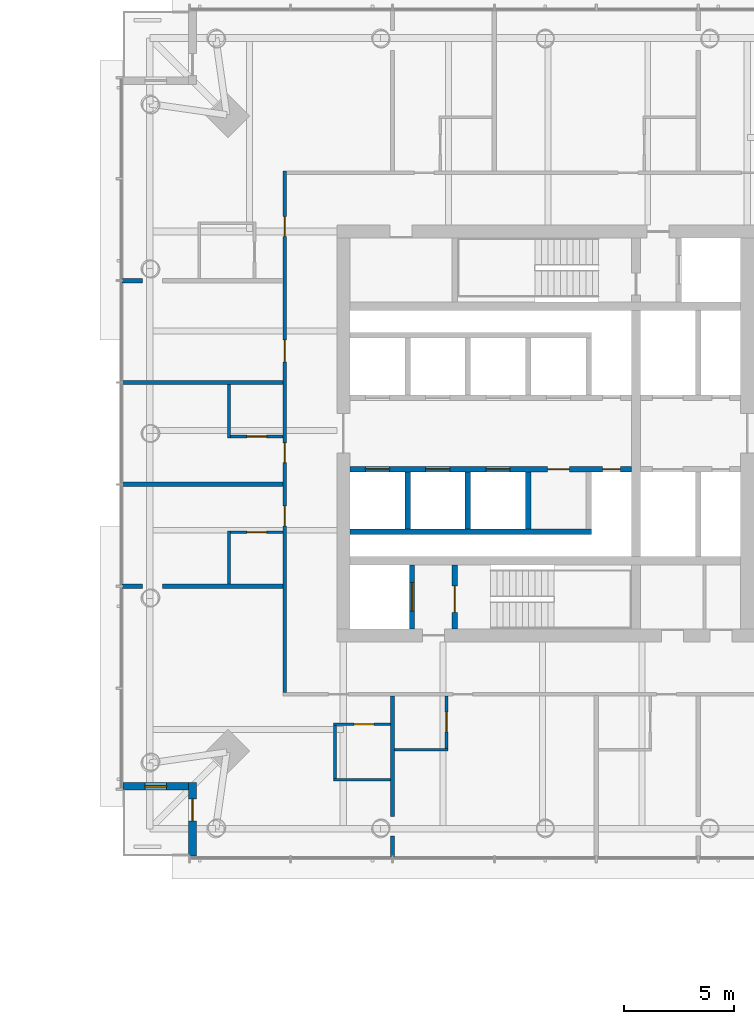
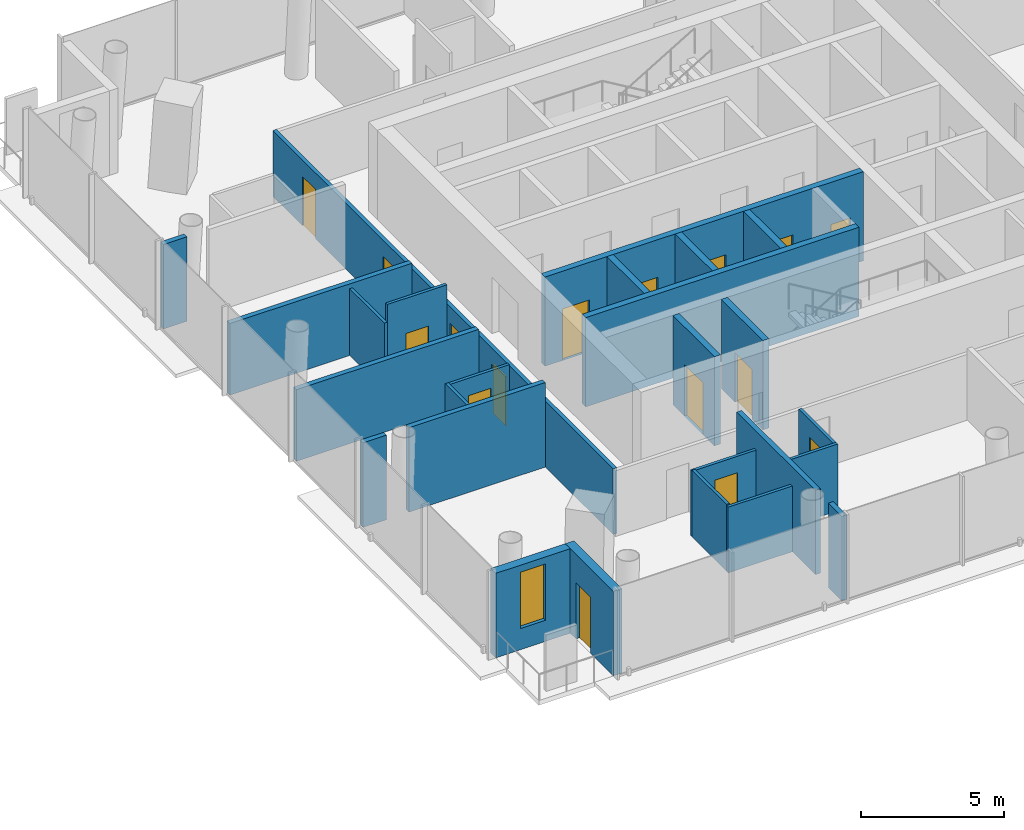
# One storey, part 12 of 21: 26 walls, 16 doors, 1 window, 17 openings.
"""IFC4 building model written with IfcOpenShell, lengths in metres."""

from ifc_helpers import new_model, si_unit, direction, frame, frame_2d, origin, place, context, subcontext, project, spatial, rectangle, extrude, material, layer, layer_set, type_object, element, fill, save


model = new_model("IFC4")

# Units and contexts
model_context = context("Model", 3, precision=1e-05, world=origin(), true_north=direction((0.0, 1.0)))
body_context = subcontext(model_context, "Body", "Model", "MODEL_VIEW")
ifc_project = project(units=[si_unit("LENGTHUNIT", "METRE"), si_unit("AREAUNIT", "SQUARE_METRE"), si_unit("VOLUMEUNIT", "CUBIC_METRE"), si_unit("PLANEANGLEUNIT", "RADIAN"), si_unit("MASSUNIT", "GRAM", prefix="KILO")], contexts=[model_context])

# Site, building, storey
site_placement = place(None, origin())
site = spatial("IfcSite", under=ifc_project, at=site_placement, CompositionType="ELEMENT")
building_placement = place(site_placement, origin())
building = spatial("IfcBuilding", under=site, at=building_placement, Name="Ostroluk Exchange", CompositionType="ELEMENT")
storey_placement = place(building_placement, frame((0.0, 0.0, 43.800048828125)))
storey = spatial("IfcBuildingStorey", under=building, at=storey_placement, Name="L10", CompositionType="ELEMENT", Elevation=43.800048828125)

# Wall, opening, door
ifc_material_1 = material(Name="Concrete C40/50", Category="concrete")
ifc_layer_1 = layer(ifc_material_1, 0.25)
ifc_layer_set_1 = layer_set([ifc_layer_1], Name="Core shaft wall 250")
wall_type_1 = type_object("IfcWallType", Name="Core shaft wall 250", PredefinedType="SHEAR", material=ifc_layer_set_1)
wall_1_placement = place(storey_placement, frame((110.925048828125, 37.10009765625, 0.0), z_axis=(0.0, 0.0, 1.0), x_axis=(0.0, 1.0, 0.0)))
wall_1 = element("IfcWall", 1, at=wall_1_placement, inside=storey, type_object=wall_type_1, Name="Firefighting lift shaft wall", PredefinedType="SHEAR", context=body_context, shape_type="SweptSolid", body=[
    extrude(rectangle(XDim=2.89990234375, YDim=0.25, at=frame_2d((1.449951171875, 0.0))), origin(), (0.0, 0.0, 1.0), 3.800048828125),
])
opening_1_placement = place(wall_1_placement, frame((0.800048828125, 0.0, 0.0)))
opening_1 = element("IfcOpeningElement", 2, at=opening_1_placement, cuts=wall_1, Name="Opening LD2", PredefinedType="OPENING", context=body_context, shape_type="SweptSolid", body=[
    extrude(rectangle(XDim=1.300048828125, YDim=2.199951171875, at=frame_2d((0.64990234375, 1.10009765625))), frame((0.0, 0.135009765625, 0.0), z_axis=(0.0, -1.0, 0.0), x_axis=(1.0, 0.0, 0.0)), (0.0, 0.0, 1.0), 0.27001953125),
])
ifc_material_2 = material(Name="Stainless steel", Category="steel")
door_type_1 = type_object("IfcDoorType", Name="Lift landing door E 60 1300 x 2200", OperationType="DOUBLE_DOOR_SLIDING", PredefinedType="DOOR", material=ifc_material_2)
door_1_placement = place(opening_1_placement, origin())
door_1 = element("IfcDoor", 3, at=door_1_placement, inside=storey, type_object=door_type_1, Name="Lift HF1 landing door", OperationType="DOUBLE_DOOR_SLIDING", OverallHeight=2.199951171875, OverallWidth=1.300048828125, PredefinedType="DOOR", context=body_context, shape_type="SweptSolid", body=[
    extrude(rectangle(XDim=1.300048828125, YDim=2.199951171875, at=frame_2d((0.64990234375, 1.10009765625))), frame((0.0, 0.02490234375, 0.0), z_axis=(0.0, -1.0, 0.0), x_axis=(1.0, 0.0, 0.0)), (0.0, 0.0, 1.0), 0.050048828125),
])
fill(opening_1, door_1)

wall_2_placement = place(storey_placement, frame((112.875, 37.10009765625, 0.0), z_axis=(0.0, 0.0, 1.0), x_axis=(0.0, 1.0, 0.0)))
wall_2 = element("IfcWall", 4, at=wall_2_placement, inside=storey, type_object=wall_type_1, Name="Stair shaft wall", PredefinedType="SHEAR", context=body_context, shape_type="SweptSolid", body=[
    extrude(rectangle(XDim=2.89990234375, YDim=0.25, at=frame_2d((1.449951171875, 0.0))), origin(), (0.0, 0.0, 1.0), 3.800048828125),
])
opening_2_placement = place(wall_2_placement, frame((0.75, 0.0, 0.0)))
opening_2 = element("IfcOpeningElement", 5, at=opening_2_placement, cuts=wall_2, Name="Opening FD60S", PredefinedType="OPENING", context=body_context, shape_type="SweptSolid", body=[
    extrude(rectangle(XDim=1.199951171875, YDim=2.10009765625, at=frame_2d((0.60009765625, 1.050048828125))), frame((0.0, 0.135009765625, 0.0), z_axis=(0.0, -1.0, 0.0), x_axis=(1.0, 0.0, 0.0)), (0.0, 0.0, 1.0), 0.27001953125),
])
ifc_material_3 = material(Name="Steel", Category="steel")
door_type_2 = type_object("IfcDoorType", Name="Stair door EI 60 1200 x 2100", OperationType="SINGLE_SWING_LEFT", PredefinedType="DOOR", material=ifc_material_3)
door_2_placement = place(opening_2_placement, origin())
door_2 = element("IfcDoor", 6, at=door_2_placement, inside=storey, type_object=door_type_2, Name="Stair T2-S1 door", OperationType="SINGLE_SWING_LEFT", OverallHeight=2.10009765625, OverallWidth=1.199951171875, PredefinedType="DOOR", context=body_context, shape_type="SweptSolid", body=[
    extrude(rectangle(XDim=1.199951171875, YDim=2.10009765625, at=frame_2d((0.60009765625, 1.050048828125))), frame((0.0, 0.02490234375, 0.0), z_axis=(0.0, -1.0, 0.0), x_axis=(1.0, 0.0, 0.0)), (0.0, 0.0, 1.0), 0.050048828125),
])
fill(opening_2, door_2)

# Walls
for number, where, z_axis, x_axis, name in (
    (7, (110.72509765625, 44.25, 0.0), (0.0, 0.0, 1.0), (0.0, -1.0, 0.0), "Lift shaft wall"),
    (8, (113.47509765625, 44.25, 0.0), (0.0, 0.0, 1.0), (0.0, -1.0, 0.0), "Lift shaft wall"),
    (9, (116.22509765625, 44.25, 0.0), (0.0, 0.0, 1.0), (0.0, -1.0, 0.0), "Lift shaft wall"),
):
    element("IfcWall", number, at=place(storey_placement, frame(where, z_axis=z_axis, x_axis=x_axis)), inside=storey, type_object=wall_type_1, Name=name, PredefinedType="SHEAR", context=body_context, shape_type="SweptSolid", body=[
        extrude(rectangle(XDim=2.60009765625, YDim=0.25, at=frame_2d((1.300048828125, 0.0))), origin(), (0.0, 0.0, 1.0), 3.800048828125),
    ])
wall_3_placement = place(storey_placement, frame((108.10009765625, 41.52490234375, 0.0), z_axis=(0.0, 0.0, 1.0), x_axis=(1.0, 0.0, 0.0)))
element("IfcWall", 10, at=wall_3_placement, inside=storey, type_object=wall_type_1, Name="Lift shaft wall", PredefinedType="SHEAR", context=body_context, shape_type="SweptSolid", body=[
    extrude(rectangle(XDim=11.0, YDim=0.25, at=frame_2d((5.5, 0.0))), origin(), (0.0, 0.0, 1.0), 3.800048828125),
])

# Wall, openings, doors
wall_4_placement = place(storey_placement, frame((108.10009765625, 44.375, 0.0), z_axis=(0.0, 0.0, 1.0), x_axis=(1.0, 0.0, 0.0)))
wall_4 = element("IfcWall", 11, at=wall_4_placement, inside=storey, type_object=wall_type_1, Name="Lift shaft front wall", PredefinedType="SHEAR", context=body_context, shape_type="SweptSolid", body=[
    extrude(rectangle(XDim=12.829833984375, YDim=0.25, at=frame_2d((6.4150390625, 0.0))), origin(), (0.0, 0.0, 1.0), 3.800048828125),
])
opening_3_placement = place(wall_4_placement, frame((0.699951171875, 0.0, 0.0)))
opening_3 = element("IfcOpeningElement", 12, at=opening_3_placement, cuts=wall_4, Name="Opening LD", PredefinedType="OPENING", context=body_context, shape_type="SweptSolid", body=[
    extrude(rectangle(XDim=1.10009765625, YDim=2.199951171875, at=frame_2d((0.550048828125, 1.10009765625))), frame((0.0, 0.135009765625, 0.0), z_axis=(0.0, -1.0, 0.0), x_axis=(1.0, 0.0, 0.0)), (0.0, 0.0, 1.0), 0.27001953125),
])
opening_4_placement = place(wall_4_placement, frame((3.449951171875, 0.0, 0.0)))
opening_4 = element("IfcOpeningElement", 13, at=opening_4_placement, cuts=wall_4, Name="Opening LD", PredefinedType="OPENING", context=body_context, shape_type="SweptSolid", body=[
    extrude(rectangle(XDim=1.10009765625, YDim=2.199951171875, at=frame_2d((0.550048828125, 1.10009765625))), frame((0.0, 0.135009765625, 0.0), z_axis=(0.0, -1.0, 0.0), x_axis=(1.0, 0.0, 0.0)), (0.0, 0.0, 1.0), 0.27001953125),
])
opening_5_placement = place(wall_4_placement, frame((6.199951171875, 0.0, 0.0)))
opening_5 = element("IfcOpeningElement", 14, at=opening_5_placement, cuts=wall_4, Name="Opening LD", PredefinedType="OPENING", context=body_context, shape_type="SweptSolid", body=[
    extrude(rectangle(XDim=1.10009765625, YDim=2.199951171875, at=frame_2d((0.550048828125, 1.10009765625))), frame((0.0, 0.135009765625, 0.0), z_axis=(0.0, -1.0, 0.0), x_axis=(1.0, 0.0, 0.0)), (0.0, 0.0, 1.0), 0.27001953125),
])
opening_6_placement = place(wall_4_placement, frame((9.0, 0.0, 0.0)))
opening_6 = element("IfcOpeningElement", 15, at=opening_6_placement, cuts=wall_4, Name="Opening FD60", PredefinedType="OPENING", context=body_context, shape_type="SweptSolid", body=[
    extrude(rectangle(XDim=1.0, YDim=2.10009765625, at=frame_2d((0.5, 1.050048828125))), frame((0.0, 0.135009765625, 0.0), z_axis=(0.0, -1.0, 0.0), x_axis=(1.0, 0.0, 0.0)), (0.0, 0.0, 1.0), 0.27001953125),
])
opening_7_placement = place(wall_4_placement, frame((11.514892578125, 0.0, 0.0)))
opening_7 = element("IfcOpeningElement", 16, at=opening_7_placement, cuts=wall_4, Name="Opening RD60", PredefinedType="OPENING", context=body_context, shape_type="SweptSolid", body=[
    extrude(rectangle(XDim=0.800048828125, YDim=2.0, at=frame_2d((0.39990234375, 1.0))), frame((0.0, 0.135009765625, 0.0), z_axis=(0.0, -1.0, 0.0), x_axis=(1.0, 0.0, 0.0)), (0.0, 0.0, 1.0), 0.27001953125),
])
ifc_material_4 = material(Name="Steel", Category="steel")
door_type_3 = type_object("IfcDoorType", Name="Fire door EI 60 1000 x 2100", OperationType="SINGLE_SWING_LEFT", PredefinedType="DOOR", material=ifc_material_4)
door_3_placement = place(opening_6_placement, origin())
door_3 = element("IfcDoor", 17, at=door_3_placement, inside=storey, type_object=door_type_3, Name="Core room door", OperationType="SINGLE_SWING_RIGHT", OverallHeight=2.10009765625, OverallWidth=1.0, PredefinedType="DOOR", context=body_context, shape_type="SweptSolid", body=[
    extrude(rectangle(XDim=1.0, YDim=2.10009765625, at=frame_2d((0.5, 1.050048828125))), frame((0.0, 0.02490234375, 0.0), z_axis=(0.0, -1.0, 0.0), x_axis=(1.0, 0.0, 0.0)), (0.0, 0.0, 1.0), 0.050048828125),
])
fill(opening_6, door_3)
ifc_material_5 = material(Name="Stainless steel", Category="steel")
door_type_4 = type_object("IfcDoorType", Name="Lift landing door E 60 1100 x 2200", OperationType="DOUBLE_DOOR_SLIDING", PredefinedType="DOOR", material=ifc_material_5)
door_4_placement = place(opening_3_placement, origin())
door_4 = element("IfcDoor", 18, at=door_4_placement, inside=storey, type_object=door_type_4, Name="Lift HL5 landing door", OperationType="DOUBLE_DOOR_SLIDING", OverallHeight=2.199951171875, OverallWidth=1.10009765625, PredefinedType="DOOR", context=body_context, shape_type="SweptSolid", body=[
    extrude(rectangle(XDim=1.10009765625, YDim=2.199951171875, at=frame_2d((0.550048828125, 1.10009765625))), frame((0.0, 0.02490234375, 0.0), z_axis=(0.0, -1.0, 0.0), x_axis=(1.0, 0.0, 0.0)), (0.0, 0.0, 1.0), 0.050048828125),
])
fill(opening_3, door_4)
door_5_placement = place(opening_4_placement, origin())
door_5 = element("IfcDoor", 19, at=door_5_placement, inside=storey, type_object=door_type_4, Name="Lift HL6 landing door", OperationType="DOUBLE_DOOR_SLIDING", OverallHeight=2.199951171875, OverallWidth=1.10009765625, PredefinedType="DOOR", context=body_context, shape_type="SweptSolid", body=[
    extrude(rectangle(XDim=1.10009765625, YDim=2.199951171875, at=frame_2d((0.550048828125, 1.10009765625))), frame((0.0, 0.02490234375, 0.0), z_axis=(0.0, -1.0, 0.0), x_axis=(1.0, 0.0, 0.0)), (0.0, 0.0, 1.0), 0.050048828125),
])
fill(opening_4, door_5)
door_6_placement = place(opening_5_placement, origin())
door_6 = element("IfcDoor", 20, at=door_6_placement, inside=storey, type_object=door_type_4, Name="Lift HL7 landing door", OperationType="DOUBLE_DOOR_SLIDING", OverallHeight=2.199951171875, OverallWidth=1.10009765625, PredefinedType="DOOR", context=body_context, shape_type="SweptSolid", body=[
    extrude(rectangle(XDim=1.10009765625, YDim=2.199951171875, at=frame_2d((0.550048828125, 1.10009765625))), frame((0.0, 0.02490234375, 0.0), z_axis=(0.0, -1.0, 0.0), x_axis=(1.0, 0.0, 0.0)), (0.0, 0.0, 1.0), 0.050048828125),
])
fill(opening_5, door_6)
ifc_material_6 = material(Name="Steel", Category="steel")
door_type_5 = type_object("IfcDoorType", Name="Riser access door EI 60 800 x 2000", OperationType="SINGLE_SWING_LEFT", PredefinedType="DOOR", material=ifc_material_6)
door_7_placement = place(opening_7_placement, origin())
door_7 = element("IfcDoor", 21, at=door_7_placement, inside=storey, type_object=door_type_5, Name="Riser access door", OperationType="SINGLE_SWING_RIGHT", OverallHeight=2.0, OverallWidth=0.800048828125, PredefinedType="DOOR", context=body_context, shape_type="SweptSolid", body=[
    extrude(rectangle(XDim=0.800048828125, YDim=2.0, at=frame_2d((0.39990234375, 1.0))), frame((0.0, 0.02490234375, 0.0), z_axis=(0.0, -1.0, 0.0), x_axis=(1.0, 0.0, 0.0)), (0.0, 0.0, 1.0), 0.050048828125),
])
fill(opening_7, door_7)

# Wall, opening, door
ifc_material_7 = material(Name="Limestone", Category="masonry")
ifc_layer_2 = layer(ifc_material_7, 0.35009765625)
ifc_layer_set_2 = layer_set([ifc_layer_2], Name="Limestone facade wall 350")
wall_type_2 = type_object("IfcWallType", Name="Limestone facade wall 350", PredefinedType="SOLIDWALL", material=ifc_layer_set_2)
wall_5_placement = place(storey_placement, frame((100.925048828125, 26.75, 0.0), z_axis=(0.0, 0.0, 1.0), x_axis=(0.0, 1.0, 0.0)))
wall_5 = element("IfcWall", 22, at=wall_5_placement, inside=storey, type_object=wall_type_2, Name="Hotel tower SW corner wall L10 a", PredefinedType="SOLIDWALL", context=body_context, shape_type="SweptSolid", body=[
    extrude(rectangle(XDim=3.35009765625, YDim=0.35009765625, at=frame_2d((1.675048828125, 0.0))), origin(), (0.0, 0.0, 1.0), 3.599853515625),
])
opening_8_placement = place(wall_5_placement, frame((1.60009765625, 0.0, 0.0)))
opening_8 = element("IfcOpeningElement", 23, at=opening_8_placement, cuts=wall_5, Name="Opening D-B1", PredefinedType="OPENING", context=body_context, shape_type="SweptSolid", body=[
    extrude(rectangle(XDim=1.0, YDim=2.39990234375, at=frame_2d((0.5, 1.199951171875))), frame((0.0, 0.18505859375, 0.0), z_axis=(0.0, -1.0, 0.0), x_axis=(1.0, 0.0, 0.0)), (0.0, 0.0, 1.0), 0.3701171875),
])
ifc_material_8 = material(Name="Bronze framed glazed door", Category="aluminium")
door_type_6 = type_object("IfcDoorType", Name="Balcony door 1000 x 2400", OperationType="SINGLE_SWING_LEFT", PredefinedType="DOOR", material=ifc_material_8)
door_8_placement = place(opening_8_placement, origin())
door_8 = element("IfcDoor", 24, at=door_8_placement, inside=storey, type_object=door_type_6, Name="Hotel tower SW balcony door L10", OperationType="SINGLE_SWING_RIGHT", OverallHeight=2.39990234375, OverallWidth=1.0, PredefinedType="DOOR", context=body_context, shape_type="SweptSolid", body=[
    extrude(rectangle(XDim=1.0, YDim=2.39990234375, at=frame_2d((0.5, 1.199951171875))), frame((0.0, 0.02490234375, 0.0), z_axis=(0.0, -1.0, 0.0), x_axis=(1.0, 0.0, 0.0)), (0.0, 0.0, 1.0), 0.050048828125),
])
fill(opening_8, door_8)

# Wall, opening, window
wall_6_placement = place(storey_placement, frame((100.75, 29.925048828125, 0.0), z_axis=(0.0, 0.0, 1.0), x_axis=(-1.0, 0.0, 0.0)))
wall_6 = element("IfcWall", 25, at=wall_6_placement, inside=storey, type_object=wall_type_2, Name="Hotel tower SW corner wall L10 b", PredefinedType="SOLIDWALL", context=body_context, shape_type="SweptSolid", body=[
    extrude(rectangle(XDim=3.0, YDim=0.35009765625, at=frame_2d((1.5, 0.0))), origin(), (0.0, 0.0, 1.0), 3.599853515625),
])
opening_9_placement = place(wall_6_placement, frame((1.0, 0.0, 0.89990234375)))
opening_9 = element("IfcOpeningElement", 26, at=opening_9_placement, cuts=wall_6, Name="Opening WN-L3", PredefinedType="OPENING", context=body_context, shape_type="SweptSolid", body=[
    extrude(rectangle(XDim=1.0, YDim=2.39990234375, at=frame_2d((0.5, 1.199951171875))), frame((0.0, 0.18505859375, 0.0), z_axis=(0.0, -1.0, 0.0), x_axis=(1.0, 0.0, 0.0)), (0.0, 0.0, 1.0), 0.3701171875),
])
ifc_material_9 = material(Name="Laminated clear glass", Category="glass")
window_type = type_object("IfcWindowType", Name="Hotel lancet window 1000 x 2400", PartitioningType="SINGLE_PANEL", PredefinedType="WINDOW", material=ifc_material_9)
window_placement = place(opening_9_placement, origin())
window = element("IfcWindow", 27, at=window_placement, inside=storey, type_object=window_type, Name="Hotel tower SW lancet window L10", OverallHeight=2.39990234375, OverallWidth=1.0, PartitioningType="SINGLE_PANEL", PredefinedType="WINDOW", context=body_context, shape_type="SweptSolid", body=[
    extrude(rectangle(XDim=1.0, YDim=2.39990234375, at=frame_2d((0.5, 1.199951171875))), frame((0.0, 0.030029296875, 0.0), z_axis=(0.0, -1.0, 0.0), x_axis=(1.0, 0.0, 0.0)), (0.0, 0.0, 1.0), 0.06005859375),
])
fill(opening_9, window)

# Wall
ifc_material_10 = material(Name="Gypsum plasterboard partition, moisture resistant", Category="gypsum")
ifc_layer_3 = layer(ifc_material_10, 0.1201171875)
ifc_layer_set_3 = layer_set([ifc_layer_3], Name="Plasterboard en-suite wall 120")
wall_type_3 = type_object("IfcWallType", Name="Plasterboard en-suite wall 120", PredefinedType="PARTITIONING", material=ifc_layer_set_3)
wall_7_placement = place(storey_placement, frame((102.590087890625, 48.221435546875, 0.0), z_axis=(0.0, 0.0, 1.0), x_axis=(0.0, -1.0, 0.0)))
element("IfcWall", 28, at=wall_7_placement, inside=storey, type_object=wall_type_3, Name="En-suite wall", PredefinedType="PARTITIONING", context=body_context, shape_type="SweptSolid", body=[
    extrude(rectangle(XDim=2.419921875, YDim=0.1201171875, at=frame_2d((1.2099609375, 0.0))), origin(), (0.0, 0.0, 1.0), 2.846923828125),
])

# Wall, opening, door
wall_8_placement = place(storey_placement, frame((105.050048828125, 45.861328125, 0.0), z_axis=(0.0, 0.0, 1.0), x_axis=(-1.0, 0.0, 0.0)))
wall_8 = element("IfcWall", 29, at=wall_8_placement, inside=storey, type_object=wall_type_3, Name="En-suite wall", PredefinedType="PARTITIONING", context=body_context, shape_type="SweptSolid", body=[
    extrude(rectangle(XDim=2.400146484375, YDim=0.1201171875, at=frame_2d((1.2001953125, 0.0))), origin(), (0.0, 0.0, 1.0), 3.599853515625),
])
opening_10_placement = place(wall_8_placement, frame((0.75, 0.0, 0.0)))
opening_10 = element("IfcOpeningElement", 30, at=opening_10_placement, cuts=wall_8, Name="Opening D-02", PredefinedType="OPENING", context=body_context, shape_type="SweptSolid", body=[
    extrude(rectangle(XDim=0.89990234375, YDim=2.10009765625, at=frame_2d((0.449951171875, 1.050048828125))), frame((0.0, 0.070068359375, 0.0), z_axis=(0.0, -1.0, 0.0), x_axis=(1.0, 0.0, 0.0)), (0.0, 0.0, 1.0), 0.14013671875),
])
ifc_material_11 = material(Name="Timber", Category="wood")
door_type_7 = type_object("IfcDoorType", Name="En-suite door 900 x 2100", OperationType="SINGLE_SWING_LEFT", PredefinedType="DOOR", material=ifc_material_11)
door_9_placement = place(opening_10_placement, origin())
door_9 = element("IfcDoor", 31, at=door_9_placement, inside=storey, type_object=door_type_7, Name="En-suite door 1006", OperationType="SINGLE_SWING_RIGHT", OverallHeight=2.10009765625, OverallWidth=0.89990234375, PredefinedType="DOOR", context=body_context, shape_type="SweptSolid", body=[
    extrude(rectangle(XDim=0.89990234375, YDim=2.10009765625, at=frame_2d((0.449951171875, 1.050048828125))), frame((0.0, 0.02490234375, 0.0), z_axis=(0.0, -1.0, 0.0), x_axis=(1.0, 0.0, 0.0)), (0.0, 0.0, 1.0), 0.050048828125),
])
fill(opening_10, door_9)

# Wall
wall_9_placement = place(storey_placement, frame((102.590087890625, 41.5556640625, 0.0), z_axis=(0.0, 0.0, 1.0), x_axis=(0.0, -1.0, 0.0)))
element("IfcWall", 32, at=wall_9_placement, inside=storey, type_object=wall_type_3, Name="En-suite wall", PredefinedType="PARTITIONING", context=body_context, shape_type="SweptSolid", body=[
    extrude(rectangle(XDim=2.419921875, YDim=0.1201171875, at=frame_2d((1.2099609375, 0.0))), origin(), (0.0, 0.0, 1.0), 2.846923828125),
])

# Wall, opening, door
wall_10_placement = place(storey_placement, frame((105.050048828125, 41.49560546875, 0.0), z_axis=(0.0, 0.0, 1.0), x_axis=(-1.0, 0.0, 0.0)))
wall_10 = element("IfcWall", 33, at=wall_10_placement, inside=storey, type_object=wall_type_3, Name="En-suite wall", PredefinedType="PARTITIONING", context=body_context, shape_type="SweptSolid", body=[
    extrude(rectangle(XDim=2.400146484375, YDim=0.1201171875, at=frame_2d((1.2001953125, 0.0))), origin(), (0.0, 0.0, 1.0), 2.846923828125),
])
opening_11_placement = place(wall_10_placement, frame((0.75, 0.0, 0.0)))
opening_11 = element("IfcOpeningElement", 34, at=opening_11_placement, cuts=wall_10, Name="Opening D-02", PredefinedType="OPENING", context=body_context, shape_type="SweptSolid", body=[
    extrude(rectangle(XDim=0.89990234375, YDim=2.10009765625, at=frame_2d((0.449951171875, 1.050048828125))), frame((0.0, 0.070068359375, 0.0), z_axis=(0.0, -1.0, 0.0), x_axis=(1.0, 0.0, 0.0)), (0.0, 0.0, 1.0), 0.14013671875),
])
door_10_placement = place(opening_11_placement, origin())
door_10 = element("IfcDoor", 35, at=door_10_placement, inside=storey, type_object=door_type_7, Name="En-suite door 1007", OperationType="SINGLE_SWING_RIGHT", OverallHeight=2.10009765625, OverallWidth=0.89990234375, PredefinedType="DOOR", context=body_context, shape_type="SweptSolid", body=[
    extrude(rectangle(XDim=0.89990234375, YDim=2.10009765625, at=frame_2d((0.449951171875, 1.050048828125))), frame((0.0, 0.02490234375, 0.0), z_axis=(0.0, -1.0, 0.0), x_axis=(1.0, 0.0, 0.0)), (0.0, 0.0, 1.0), 0.050048828125),
])
fill(opening_11, door_10)

wall_11_placement = place(storey_placement, frame((109.935791015625, 32.75, 0.0), z_axis=(0.0, 0.0, 1.0), x_axis=(-1.0, 0.0, 0.0)))
wall_11 = element("IfcWall", 36, at=wall_11_placement, inside=storey, type_object=wall_type_3, Name="En-suite wall", PredefinedType="PARTITIONING", context=body_context, shape_type="SweptSolid", body=[
    extrude(rectangle(XDim=2.580078125, YDim=0.1201171875, at=frame_2d((1.2900390625, 0.0))), origin(), (0.0, 0.0, 1.0), 2.800048828125),
])
opening_12_placement = place(wall_11_placement, frame((0.75, 0.0, 0.0)))
opening_12 = element("IfcOpeningElement", 37, at=opening_12_placement, cuts=wall_11, Name="Opening D-02", PredefinedType="OPENING", context=body_context, shape_type="SweptSolid", body=[
    extrude(rectangle(XDim=0.89990234375, YDim=2.10009765625, at=frame_2d((0.449951171875, 1.050048828125))), frame((0.0, 0.070068359375, 0.0), z_axis=(0.0, -1.0, 0.0), x_axis=(1.0, 0.0, 0.0)), (0.0, 0.0, 1.0), 0.14013671875),
])
door_11_placement = place(opening_12_placement, origin())
door_11 = element("IfcDoor", 38, at=door_11_placement, inside=storey, type_object=door_type_7, Name="En-suite door 1008", OperationType="SINGLE_SWING_LEFT", OverallHeight=2.10009765625, OverallWidth=0.89990234375, PredefinedType="DOOR", context=body_context, shape_type="SweptSolid", body=[
    extrude(rectangle(XDim=0.89990234375, YDim=2.10009765625, at=frame_2d((0.449951171875, 1.050048828125))), frame((0.0, 0.02490234375, 0.0), z_axis=(0.0, -1.0, 0.0), x_axis=(1.0, 0.0, 0.0)), (0.0, 0.0, 1.0), 0.050048828125),
])
fill(opening_12, door_11)

# Walls
wall_12_placement = place(storey_placement, frame((109.935791015625, 30.22998046875, 0.0), z_axis=(0.0, 0.0, 1.0), x_axis=(-1.0, 0.0, 0.0)))
element("IfcWall", 39, at=wall_12_placement, inside=storey, type_object=wall_type_3, Name="En-suite wall", PredefinedType="PARTITIONING", context=body_context, shape_type="SweptSolid", body=[
    extrude(rectangle(XDim=2.580078125, YDim=0.1201171875, at=frame_2d((1.2900390625, 0.0))), origin(), (0.0, 0.0, 1.0), 2.800048828125),
])
wall_13_placement = place(storey_placement, frame((107.415771484375, 32.68994140625, 0.0), z_axis=(0.0, 0.0, 1.0), x_axis=(0.0, -1.0, 0.0)))
element("IfcWall", 40, at=wall_13_placement, inside=storey, type_object=wall_type_3, Name="En-suite wall", PredefinedType="PARTITIONING", context=body_context, shape_type="SweptSolid", body=[
    extrude(rectangle(XDim=2.39990234375, YDim=0.1201171875, at=frame_2d((1.199951171875, 0.0))), origin(), (0.0, 0.0, 1.0), 2.846923828125),
])
wall_14_placement = place(storey_placement, frame((110.1357421875, 31.590087890625, 0.0), z_axis=(0.0, 0.0, 1.0), x_axis=(1.0, 0.0, 0.0)))
element("IfcWall", 41, at=wall_14_placement, inside=storey, type_object=wall_type_3, Name="En-suite wall", PredefinedType="PARTITIONING", context=body_context, shape_type="SweptSolid", body=[
    extrude(rectangle(XDim=2.419921875, YDim=0.1201171875, at=frame_2d((1.2099609375, 0.0))), origin(), (0.0, 0.0, 1.0), 2.846923828125),
])

# Wall, opening, door
wall_15_placement = place(storey_placement, frame((112.49560546875, 34.050048828125, 0.0), z_axis=(0.0, 0.0, 1.0), x_axis=(0.0, -1.0, 0.0)))
wall_15 = element("IfcWall", 42, at=wall_15_placement, inside=storey, type_object=wall_type_3, Name="En-suite wall", PredefinedType="PARTITIONING", context=body_context, shape_type="SweptSolid", body=[
    extrude(rectangle(XDim=2.400146484375, YDim=0.1201171875, at=frame_2d((1.2001953125, 0.0))), origin(), (0.0, 0.0, 1.0), 2.846923828125),
])
opening_13_placement = place(wall_15_placement, frame((0.75, 0.0, 0.0)))
opening_13 = element("IfcOpeningElement", 43, at=opening_13_placement, cuts=wall_15, Name="Opening D-02", PredefinedType="OPENING", context=body_context, shape_type="SweptSolid", body=[
    extrude(rectangle(XDim=0.89990234375, YDim=2.10009765625, at=frame_2d((0.449951171875, 1.050048828125))), frame((0.0, 0.070068359375, 0.0), z_axis=(0.0, -1.0, 0.0), x_axis=(1.0, 0.0, 0.0)), (0.0, 0.0, 1.0), 0.14013671875),
])
door_12_placement = place(opening_13_placement, origin())
door_12 = element("IfcDoor", 44, at=door_12_placement, inside=storey, type_object=door_type_7, Name="En-suite door 1009", OperationType="SINGLE_SWING_RIGHT", OverallHeight=2.10009765625, OverallWidth=0.89990234375, PredefinedType="DOOR", context=body_context, shape_type="SweptSolid", body=[
    extrude(rectangle(XDim=0.89990234375, YDim=2.10009765625, at=frame_2d((0.449951171875, 1.050048828125))), frame((0.0, 0.02490234375, 0.0), z_axis=(0.0, -1.0, 0.0), x_axis=(1.0, 0.0, 0.0)), (0.0, 0.0, 1.0), 0.050048828125),
])
fill(opening_13, door_12)

# Wall, openings, doors
ifc_material_12 = material(Name="Gypsum plasterboard partition", Category="gypsum")
ifc_layer_4 = layer(ifc_material_12, 0.14990234375)
ifc_layer_set_4 = layer_set([ifc_layer_4], Name="Plasterboard partition 150")
wall_type_4 = type_object("IfcWallType", Name="Plasterboard partition 150", PredefinedType="PARTITIONING", material=ifc_layer_set_4)
wall_16_placement = place(storey_placement, frame((105.125, 57.949951171875, 0.0), z_axis=(0.0, 0.0, 1.0), x_axis=(0.0, -1.0, 0.0)))
wall_16 = element("IfcWall", 45, at=wall_16_placement, inside=storey, type_object=wall_type_4, Name="Corridor wall", PredefinedType="PARTITIONING", context=body_context, shape_type="SweptSolid", body=[
    extrude(rectangle(XDim=23.75, YDim=0.14990234375, at=frame_2d((11.875, 0.0))), origin(), (0.0, 0.0, 1.0), 2.800048828125),
])
opening_14_placement = place(wall_16_placement, frame((2.06787109375, 0.0, 0.0)))
opening_14 = element("IfcOpeningElement", 46, at=opening_14_placement, cuts=wall_16, Name="Opening D-01", PredefinedType="OPENING", context=body_context, shape_type="SweptSolid", body=[
    extrude(rectangle(XDim=0.89990234375, YDim=2.10009765625, at=frame_2d((0.449951171875, 1.050048828125))), frame((0.0, 0.0849609375, 0.0), z_axis=(0.0, -1.0, 0.0), x_axis=(1.0, 0.0, 0.0)), (0.0, 0.0, 1.0), 0.169921875),
])
opening_15_placement = place(wall_16_placement, frame((7.685791015625, 0.0, 0.0)))
opening_15 = element("IfcOpeningElement", 47, at=opening_15_placement, cuts=wall_16, Name="Opening D-03", PredefinedType="OPENING", context=body_context, shape_type="SweptSolid", body=[
    extrude(rectangle(XDim=1.0, YDim=2.10009765625, at=frame_2d((0.5, 1.050048828125))), frame((0.0, 0.0849609375, 0.0), z_axis=(0.0, -1.0, 0.0), x_axis=(1.0, 0.0, 0.0)), (0.0, 0.0, 1.0), 0.169921875),
])
opening_16_placement = place(wall_16_placement, frame((12.378662109375, 0.0, 0.0)))
opening_16 = element("IfcOpeningElement", 48, at=opening_16_placement, cuts=wall_16, Name="Opening D-01", PredefinedType="OPENING", context=body_context, shape_type="SweptSolid", body=[
    extrude(rectangle(XDim=0.89990234375, YDim=2.10009765625, at=frame_2d((0.449951171875, 1.050048828125))), frame((0.0, 0.0849609375, 0.0), z_axis=(0.0, -1.0, 0.0), x_axis=(1.0, 0.0, 0.0)), (0.0, 0.0, 1.0), 0.169921875),
])
opening_17_placement = place(wall_16_placement, frame((15.264404296875, 0.0, 0.0)))
opening_17 = element("IfcOpeningElement", 49, at=opening_17_placement, cuts=wall_16, Name="Opening D-01", PredefinedType="OPENING", context=body_context, shape_type="SweptSolid", body=[
    extrude(rectangle(XDim=0.89990234375, YDim=2.10009765625, at=frame_2d((0.449951171875, 1.050048828125))), frame((0.0, 0.0849609375, 0.0), z_axis=(0.0, -1.0, 0.0), x_axis=(1.0, 0.0, 0.0)), (0.0, 0.0, 1.0), 0.169921875),
])
ifc_material_13 = material(Name="Timber", Category="wood")
door_type_8 = type_object("IfcDoorType", Name="Hotel room door EI 30 Sa 900 x 2100", OperationType="SINGLE_SWING_LEFT", PredefinedType="DOOR", material=ifc_material_13)
door_13_placement = place(opening_14_placement, origin())
door_13 = element("IfcDoor", 50, at=door_13_placement, inside=storey, type_object=door_type_8, Name="Room door 1005", OperationType="SINGLE_SWING_LEFT", OverallHeight=2.10009765625, OverallWidth=0.89990234375, PredefinedType="DOOR", context=body_context, shape_type="SweptSolid", body=[
    extrude(rectangle(XDim=0.89990234375, YDim=2.10009765625, at=frame_2d((0.449951171875, 1.050048828125))), frame((0.0, 0.02490234375, 0.0), z_axis=(0.0, -1.0, 0.0), x_axis=(1.0, 0.0, 0.0)), (0.0, 0.0, 1.0), 0.050048828125),
])
fill(opening_14, door_13)
door_14_placement = place(opening_16_placement, origin())
door_14 = element("IfcDoor", 51, at=door_14_placement, inside=storey, type_object=door_type_8, Name="Room door 1006", OperationType="SINGLE_SWING_RIGHT", OverallHeight=2.10009765625, OverallWidth=0.89990234375, PredefinedType="DOOR", context=body_context, shape_type="SweptSolid", body=[
    extrude(rectangle(XDim=0.89990234375, YDim=2.10009765625, at=frame_2d((0.449951171875, 1.050048828125))), frame((0.0, 0.02490234375, 0.0), z_axis=(0.0, -1.0, 0.0), x_axis=(1.0, 0.0, 0.0)), (0.0, 0.0, 1.0), 0.050048828125),
])
fill(opening_16, door_14)
door_15_placement = place(opening_17_placement, origin())
door_15 = element("IfcDoor", 52, at=door_15_placement, inside=storey, type_object=door_type_8, Name="Room door 1007", OperationType="SINGLE_SWING_RIGHT", OverallHeight=2.10009765625, OverallWidth=0.89990234375, PredefinedType="DOOR", context=body_context, shape_type="SweptSolid", body=[
    extrude(rectangle(XDim=0.89990234375, YDim=2.10009765625, at=frame_2d((0.449951171875, 1.050048828125))), frame((0.0, 0.02490234375, 0.0), z_axis=(0.0, -1.0, 0.0), x_axis=(1.0, 0.0, 0.0)), (0.0, 0.0, 1.0), 0.050048828125),
])
fill(opening_17, door_15)
ifc_material_14 = material(Name="Timber", Category="wood")
door_type_9 = type_object("IfcDoorType", Name="Internal door 1000 x 2100", OperationType="SINGLE_SWING_LEFT", PredefinedType="DOOR", material=ifc_material_14)
door_16_placement = place(opening_15_placement, origin())
door_16 = element("IfcDoor", 53, at=door_16_placement, inside=storey, type_object=door_type_9, Name="Housekeeping store door", OperationType="SINGLE_SWING_LEFT", OverallHeight=2.10009765625, OverallWidth=1.0, PredefinedType="DOOR", context=body_context, shape_type="SweptSolid", body=[
    extrude(rectangle(XDim=1.0, YDim=2.10009765625, at=frame_2d((0.5, 1.050048828125))), frame((0.0, 0.02490234375, 0.0), z_axis=(0.0, -1.0, 0.0), x_axis=(1.0, 0.0, 0.0)), (0.0, 0.0, 1.0), 0.050048828125),
])
fill(opening_15, door_16)

# Walls
ifc_material_15 = material(Name="Gypsum plasterboard partition", Category="gypsum")
ifc_layer_5 = layer(ifc_material_15, 0.199951171875)
ifc_layer_set_5 = layer_set([ifc_layer_5], Name="Plasterboard party wall 200")
wall_type_5 = type_object("IfcWallType", Name="Plasterboard party wall 200", PredefinedType="PARTITIONING", material=ifc_layer_set_5)
wall_17_placement = place(storey_placement, frame((98.65185546875, 52.96435546875, 0.0), z_axis=(0.0, 0.0, 1.0), x_axis=(-1.0, 0.0, 0.0)))
element("IfcWall", 54, at=wall_17_placement, inside=storey, type_object=wall_type_5, Name="Party wall", PredefinedType="PARTITIONING", context=body_context, shape_type="SweptSolid", body=[
    extrude(rectangle(XDim=0.94189453125, YDim=0.199951171875, at=frame_2d((0.470947265625, 0.0))), origin(), (0.0, 0.0, 1.0), 3.599853515625),
])
for number, where, z_axis, x_axis, name in (
    (55, (105.050048828125, 48.321533203125, 0.0), (0.0, 0.0, 1.0), (-1.0, 0.0, 0.0), "Party wall"),
    (56, (105.050048828125, 43.678466796875, 0.0), (0.0, 0.0, 1.0), (-1.0, 0.0, 0.0), "Party wall"),
):
    element("IfcWall", number, at=place(storey_placement, frame(where, z_axis=z_axis, x_axis=x_axis)), inside=storey, type_object=wall_type_5, Name=name, PredefinedType="PARTITIONING", context=body_context, shape_type="SweptSolid", body=[
        extrude(rectangle(XDim=7.340087890625, YDim=0.199951171875, at=frame_2d((3.669921875, 0.0))), origin(), (0.0, 0.0, 1.0), 3.050048828125),
    ])
wall_18_placement = place(storey_placement, frame((105.050048828125, 39.03564453125, 0.0), z_axis=(0.0, 0.0, 1.0), x_axis=(-1.0, 0.0, 0.0)))
element("IfcWall", 57, at=wall_18_placement, inside=storey, type_object=wall_type_5, Name="Party wall", PredefinedType="PARTITIONING", context=body_context, shape_type="SweptSolid", body=[
    extrude(rectangle(XDim=5.4970703125, YDim=0.199951171875, at=frame_2d((2.74853515625, 0.0))), origin(), (0.0, 0.0, 1.0), 3.599853515625),
])
wall_19_placement = place(storey_placement, frame((98.65185546875, 39.03564453125, 0.0), z_axis=(0.0, 0.0, 1.0), x_axis=(-1.0, 0.0, 0.0)))
element("IfcWall", 58, at=wall_19_placement, inside=storey, type_object=wall_type_5, Name="Party wall", PredefinedType="PARTITIONING", context=body_context, shape_type="SweptSolid", body=[
    extrude(rectangle(XDim=0.94189453125, YDim=0.199951171875, at=frame_2d((0.470947265625, 0.0))), origin(), (0.0, 0.0, 1.0), 3.599853515625),
])
wall_20_placement = place(storey_placement, frame((110.03564453125, 34.050048828125, 0.0), z_axis=(0.0, 0.0, 1.0), x_axis=(0.0, -1.0, 0.0)))
element("IfcWall", 59, at=wall_20_placement, inside=storey, type_object=wall_type_5, Name="Party wall", PredefinedType="PARTITIONING", context=body_context, shape_type="SweptSolid", body=[
    extrude(rectangle(XDim=5.4970703125, YDim=0.199951171875, at=frame_2d((2.74853515625, 0.0))), origin(), (0.0, 0.0, 1.0), 3.599853515625),
])
wall_21_placement = place(storey_placement, frame((110.03564453125, 27.65185546875, 0.0), z_axis=(0.0, 0.0, 1.0), x_axis=(0.0, -1.0, 0.0)))
element("IfcWall", 60, at=wall_21_placement, inside=storey, type_object=wall_type_5, Name="Party wall", PredefinedType="PARTITIONING", context=body_context, shape_type="SweptSolid", body=[
    extrude(rectangle(XDim=0.94189453125, YDim=0.199951171875, at=frame_2d((0.470947265625, 0.0))), origin(), (0.0, 0.0, 1.0), 3.599853515625),
])

save(model, "model.ifc")
